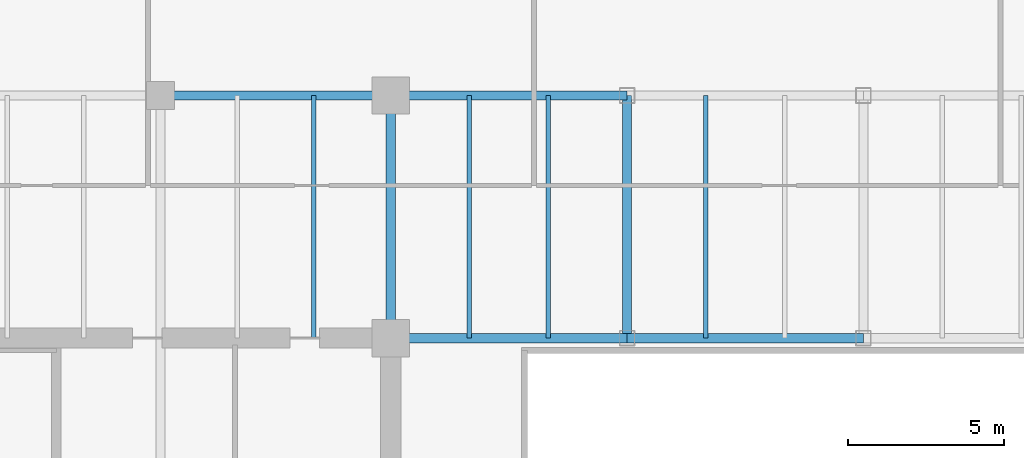
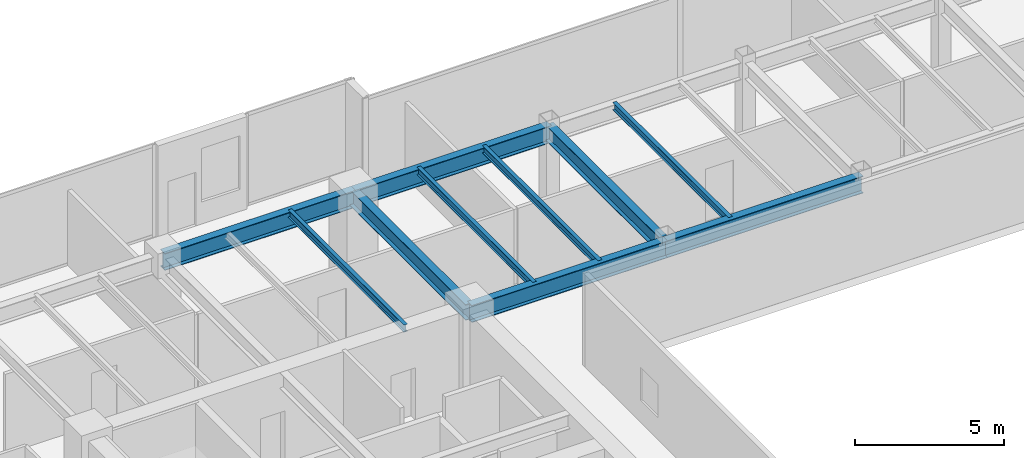
# One storey, part 13 of 30: 10 beams.
"""IFC4 building model written with IfcOpenShell, lengths in metres."""

from ifc_helpers import new_model, si_unit, direction, frame, origin, origin_2d, place, context, subcontext, project, spatial, i_section, extrude, source, transform, mapped, material, material_profile, profile_set, type_object, type_shapes, element, save


model = new_model("IFC4")

# Units and contexts
model_context = context("Model", 3, precision=1e-05, world=origin(), true_north=direction((0.0, 1.0)))
body_context = subcontext(model_context, "Body", "Model", "MODEL_VIEW")
ifc_project = project(units=[si_unit("LENGTHUNIT", "METRE"), si_unit("AREAUNIT", "SQUARE_METRE"), si_unit("VOLUMEUNIT", "CUBIC_METRE"), si_unit("PLANEANGLEUNIT", "RADIAN"), si_unit("MASSUNIT", "GRAM", prefix="KILO")], contexts=[model_context])

# Site, building, storey
site_placement = place(None, origin())
site = spatial("IfcSite", under=ifc_project, at=site_placement, CompositionType="ELEMENT")
building_placement = place(site_placement, origin())
building = spatial("IfcBuilding", under=site, at=building_placement, Name="Haelvirn Gate Laboratories", CompositionType="ELEMENT")
storey_placement = place(building_placement, frame((0.0, 0.0, 113.300048828125)))
storey = spatial("IfcBuildingStorey", under=building, at=storey_placement, Name="L27", CompositionType="ELEMENT", Elevation=113.300048828125)

# Beams
ifc_material = material(Name="Steel SM355", Category="steel")
ifc_material_profile_1 = material_profile(ifc_material, i_section(OverallWidth=0.300048828125, OverallDepth=0.64990234375, WebThickness=0.012939453125, FlangeThickness=0.02197265625, at=origin_2d()), Name="H-650x300x13x22")
ifc_profile_set_1 = profile_set([ifc_material_profile_1], Name="Steel SM355")
beam_type_1 = type_object("IfcBeamType", Name="BM-G-650", PredefinedType="BEAM", material=ifc_profile_set_1)
shared_shape_1 = source(origin(), body_context, "Body", "SweptSolid", [
    extrude(i_section(OverallWidth=0.300048828125, OverallDepth=0.64990234375, WebThickness=0.012939453125, FlangeThickness=0.02197265625, at=origin_2d()), origin(), (0.0, 0.0, 1.0), 7.800048828125),
])
type_shapes(beam_type_1, [shared_shape_1])
for number, where, z_axis, x_axis, name in (
    (1, (22.199951171875, 33.800048828125, 3.46484375), (0.0, 1.0, 0.0), (-1.0, 0.0, 0.0), "L27 Frame Girder X22.2 (33.8-41.6)"),
    (2, (29.800048828125, 33.800048828125, 3.46484375), (0.0, 1.0, 0.0), (-1.0, 0.0, 0.0), "L27 Frame Girder X29.8 (33.8-41.6)"),
):
    element("IfcBeam", number, at=place(storey_placement, frame(where, z_axis=z_axis, x_axis=x_axis)), inside=storey, type_object=beam_type_1, Name=name, PredefinedType="BEAM", context=body_context, shape_type="MappedRepresentation", body=[
        mapped(shared_shape_1, transform((0.0, 0.0, 0.0), scale=1.0)),
    ])
ifc_material_profile_2 = material_profile(ifc_material, i_section(OverallWidth=0.300048828125, OverallDepth=0.699951171875, WebThickness=0.012939453125, FlangeThickness=0.02392578125, at=origin_2d()), Name="H-700x300x13x24")
ifc_profile_set_2 = profile_set([ifc_material_profile_2], Name="Steel SM355")
beam_type_2 = type_object("IfcBeamType", Name="BM-G-700", PredefinedType="BEAM", material=ifc_profile_set_2)
shared_shape_2 = source(origin(), body_context, "Body", "SweptSolid", [
    extrude(i_section(OverallWidth=0.300048828125, OverallDepth=0.699951171875, WebThickness=0.012939453125, FlangeThickness=0.02392578125, at=origin_2d()), origin(), (0.0, 0.0, 1.0), 7.39990234375),
])
beam_1_placement = place(storey_placement, frame((14.800048828125, 41.60009765625, 3.43994140625), z_axis=(1.0, 0.0, 0.0), x_axis=(0.0, 1.0, 0.0)))
element("IfcBeam", 3, at=beam_1_placement, inside=storey, type_object=beam_type_2, Name="L27 Primary Girder Y41.6 (14.8-22.2)", PredefinedType="BEAM", context=body_context, shape_type="MappedRepresentation", body=[
    mapped(shared_shape_2, transform((0.0, 0.0, 0.0), scale=1.0)),
])
shared_shape_3 = source(origin(), body_context, "Body", "SweptSolid", [
    extrude(i_section(OverallWidth=0.300048828125, OverallDepth=0.699951171875, WebThickness=0.012939453125, FlangeThickness=0.02392578125, at=origin_2d()), origin(), (0.0, 0.0, 1.0), 7.60009765625),
])
for number, where, z_axis, x_axis, name in (
    (4, (22.199951171875, 33.800048828125, 3.43994140625), (1.0, 0.0, 0.0), (0.0, 1.0, 0.0), "L27 Primary Girder Y33.8 (22.2-29.8)"),
    (5, (22.199951171875, 41.60009765625, 3.43994140625), (1.0, 0.0, 0.0), (0.0, 1.0, 0.0), "L27 Primary Girder Y41.6 (22.2-29.8)"),
):
    element("IfcBeam", number, at=place(storey_placement, frame(where, z_axis=z_axis, x_axis=x_axis)), inside=storey, type_object=beam_type_2, Name=name, PredefinedType="BEAM", context=body_context, shape_type="MappedRepresentation", body=[
        mapped(shared_shape_3, transform((0.0, 0.0, 0.0), scale=1.0)),
    ])
shared_shape_4 = source(origin(), body_context, "Body", "SweptSolid", [
    extrude(i_section(OverallWidth=0.300048828125, OverallDepth=0.699951171875, WebThickness=0.012939453125, FlangeThickness=0.02392578125, at=origin_2d()), origin(), (0.0, 0.0, 1.0), 7.599853515625),
])
type_shapes(beam_type_2, [shared_shape_2, shared_shape_3, shared_shape_4])
beam_2_placement = place(storey_placement, frame((29.800048828125, 33.800048828125, 3.43994140625), z_axis=(1.0, 0.0, 0.0), x_axis=(0.0, 1.0, 0.0)))
element("IfcBeam", 6, at=beam_2_placement, inside=storey, type_object=beam_type_2, Name="L27 Primary Girder Y33.8 (29.8-37.4)", PredefinedType="BEAM", context=body_context, shape_type="MappedRepresentation", body=[
    mapped(shared_shape_4, transform((0.0, 0.0, 0.0), scale=1.0)),
])
ifc_material_profile_3 = material_profile(ifc_material, i_section(OverallWidth=0.14990234375, OverallDepth=0.300048828125, WebThickness=0.006591796875, FlangeThickness=0.009033203125, at=origin_2d()), Name="H-300x150x6.5x9")
ifc_profile_set_3 = profile_set([ifc_material_profile_3], Name="Steel SM355")
beam_type_3 = type_object("IfcBeamType", Name="BM-J-300", PredefinedType="JOIST", material=ifc_profile_set_3)
shared_shape_5 = source(origin(), body_context, "Body", "SweptSolid", [
    extrude(i_section(OverallWidth=0.14990234375, OverallDepth=0.300048828125, WebThickness=0.006591796875, FlangeThickness=0.009033203125, at=origin_2d()), origin(), (0.0, 0.0, 1.0), 7.800048828125),
])
type_shapes(beam_type_3, [shared_shape_5])
for number, where, z_axis, x_axis, name in (
    (7, (19.72998046875, 33.800048828125, 3.639892578125), (0.0, 1.0, 0.0), (-1.0, 0.0, 0.0), "L27 Composite Lab Joist North X19.73"),
    (8, (24.72998046875, 33.800048828125, 3.639892578125), (0.0, 1.0, 0.0), (-1.0, 0.0, 0.0), "L27 Composite Lab Joist North X24.73"),
    (9, (27.27001953125, 33.800048828125, 3.639892578125), (0.0, 1.0, 0.0), (-1.0, 0.0, 0.0), "L27 Composite Lab Joist North X27.27"),
    (10, (32.330078125, 33.800048828125, 3.639892578125), (0.0, 1.0, 0.0), (-1.0, 0.0, 0.0), "L27 Composite Lab Joist North X32.33"),
):
    element("IfcBeam", number, at=place(storey_placement, frame(where, z_axis=z_axis, x_axis=x_axis)), inside=storey, type_object=beam_type_3, Name=name, PredefinedType="JOIST", context=body_context, shape_type="MappedRepresentation", body=[
        mapped(shared_shape_5, transform((0.0, 0.0, 0.0), scale=1.0)),
    ])

save(model, "model.ifc")
